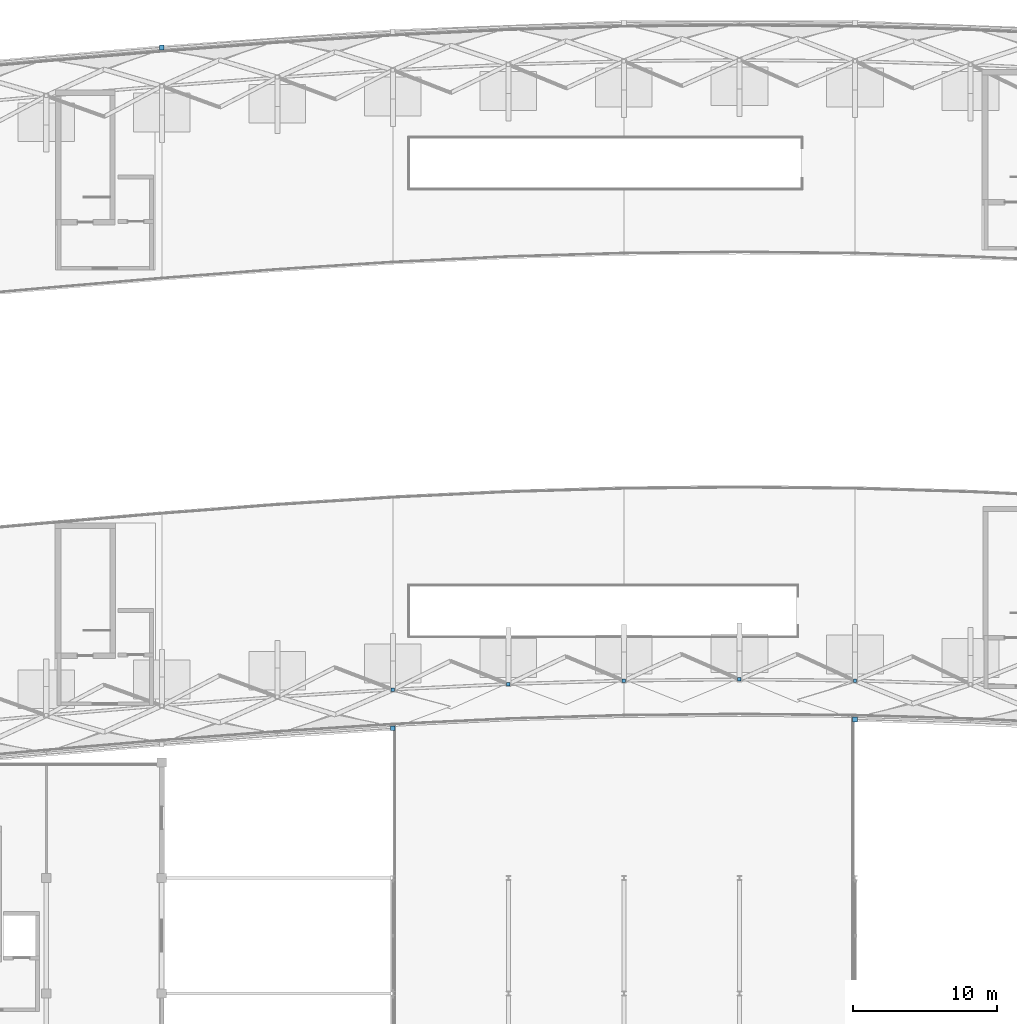
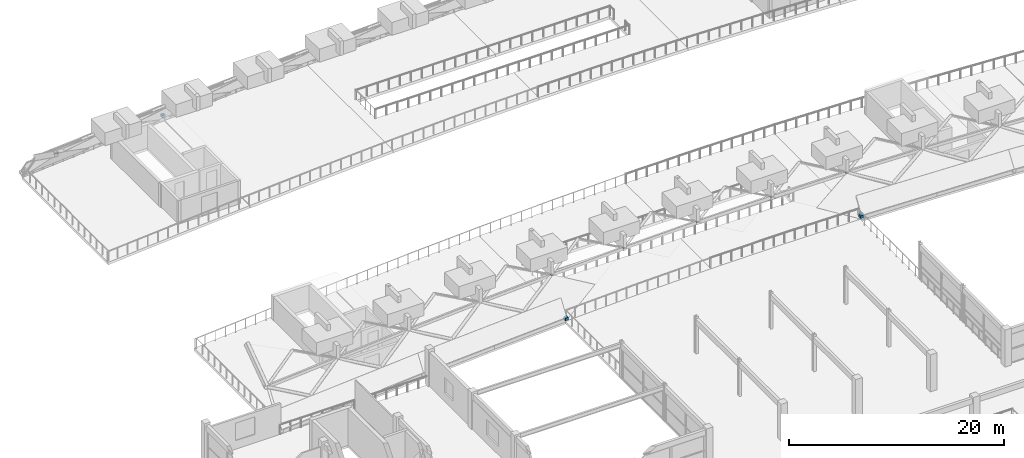
# One storey, part 55 of 67: 8 discrete accessories.
"""IFC4 building model written with IfcOpenShell, lengths in metres."""

from ifc_helpers import new_model, si_unit, direction, frame, origin, origin_2d, place, context, subcontext, project, spatial, rectangle, extrude, material, type_object, element, save


model = new_model("IFC4")

# Units and contexts
model_context = context("Model", 3, precision=1e-05, world=origin(), true_north=direction((0.0, 1.0)))
body_context = subcontext(model_context, "Body", "Model", "MODEL_VIEW")
ifc_project = project(units=[si_unit("LENGTHUNIT", "METRE"), si_unit("AREAUNIT", "SQUARE_METRE"), si_unit("VOLUMEUNIT", "CUBIC_METRE"), si_unit("PLANEANGLEUNIT", "RADIAN"), si_unit("MASSUNIT", "GRAM", prefix="KILO")], contexts=[model_context])

# Site, building, storey
site_placement = place(None, origin())
site = spatial("IfcSite", under=ifc_project, at=site_placement, CompositionType="ELEMENT")
building_placement = place(site_placement, origin())
building = spatial("IfcBuilding", under=site, at=building_placement, Name="Kenh Van Central Station", CompositionType="ELEMENT")
storey_placement = place(building_placement, frame((0.0, 0.0, 10.800048828125)))
storey = spatial("IfcBuildingStorey", under=building, at=storey_placement, Name="L02", CompositionType="ELEMENT", Elevation=10.800048828125)

# Discrete accessories
ifc_material = material(Name="White fluoropolymer structural steel S355", Category="steel")
discrete_accessory_type_1 = type_object("IfcDiscreteAccessoryType", Name="ACC-BRKT-STL", PredefinedType="BRACKET", material=ifc_material)
for number, where, z_axis, x_axis, name in (
    (1, (48.0, 113.518310546875, 0.2900390625), (0.0, 0.0, 1.0), (1.0, 0.0, 0.0), "Barrel curb bracket 02-2"),
    (2, (64.0, 66.371826171875, 0.2900390625), (0.0, 0.0, 1.0), (1.0, 0.0, 0.0), "Barrel curb bracket 03-2"),
    (3, (96.0, 66.98974609375, 0.2900390625), (0.0, 0.0, 1.0), (1.0, 0.0, 0.0), "Barrel curb bracket 07-1"),
):
    element("IfcDiscreteAccessory", number, at=place(storey_placement, frame(where, z_axis=z_axis, x_axis=x_axis)), inside=storey, type_object=discrete_accessory_type_1, Name=name, PredefinedType="BRACKET", context=body_context, shape_type="SweptSolid", body=[
        extrude(rectangle(XDim=0.320068359375, YDim=0.340087890625, at=origin_2d()), origin(), (0.0, 0.0, 1.0), 0.300048828125),
    ])
discrete_accessory_type_2 = type_object("IfcDiscreteAccessoryType", Name="ACC-END-NODE-VLT", PredefinedType="BRACKET", material=ifc_material)
for number, where, z_axis, x_axis, name in (
    (4, (64.0, 69.05419921875, 3.74951171875), (0.0, 0.0, 1.0), (1.0, 0.0, 0.0), "L02 brace end connection node plate 0084"),
    (5, (72.0, 69.435546875, 3.74951171875), (0.0, 0.0, 1.0), (1.0, 0.0, 0.0), "L02 brace end connection node plate 0105"),
    (6, (80.0, 69.672119140625, 3.74951171875), (0.0, 0.0, 1.0), (1.0, 0.0, 0.0), "L02 brace end connection node plate 0126"),
    (7, (88.0, 69.75244140625, 3.74951171875), (0.0, 0.0, 1.0), (1.0, 0.0, 0.0), "L02 brace end connection node plate 0147"),
    (8, (96.0, 69.672119140625, 3.74951171875), (0.0, 0.0, 1.0), (1.0, 0.0, 0.0), "L02 brace end connection node plate 0168"),
):
    element("IfcDiscreteAccessory", number, at=place(storey_placement, frame(where, z_axis=z_axis, x_axis=x_axis)), inside=storey, type_object=discrete_accessory_type_2, Name=name, PredefinedType="BRACKET", context=body_context, shape_type="SweptSolid", body=[
        extrude(rectangle(XDim=0.239990234375, YDim=0.239990234375, at=origin_2d()), origin(), (0.0, 0.0, 1.0), 0.02490234375),
    ])

save(model, "model.ifc")
